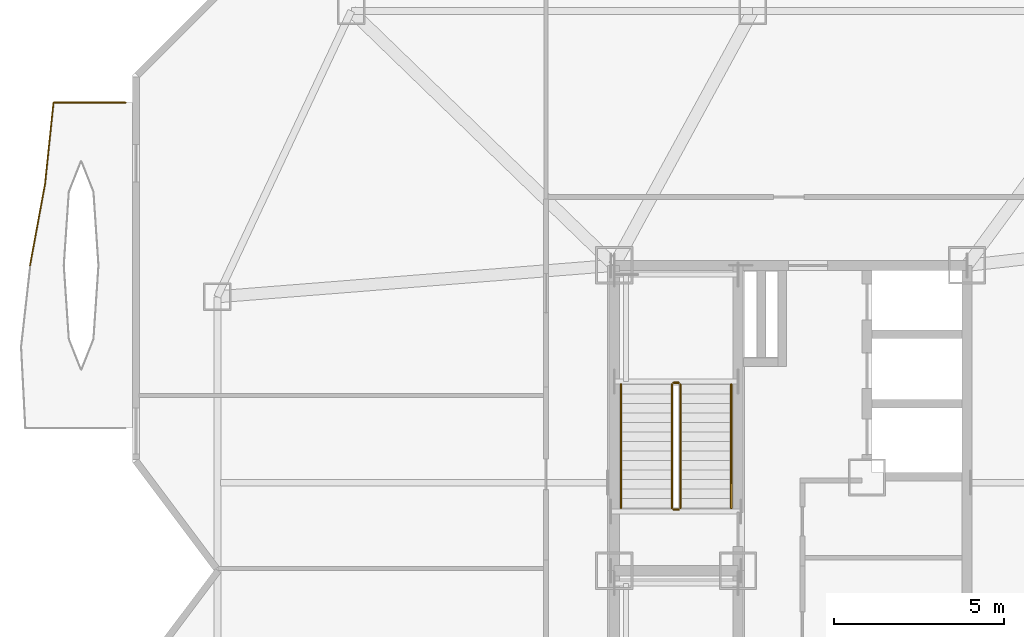
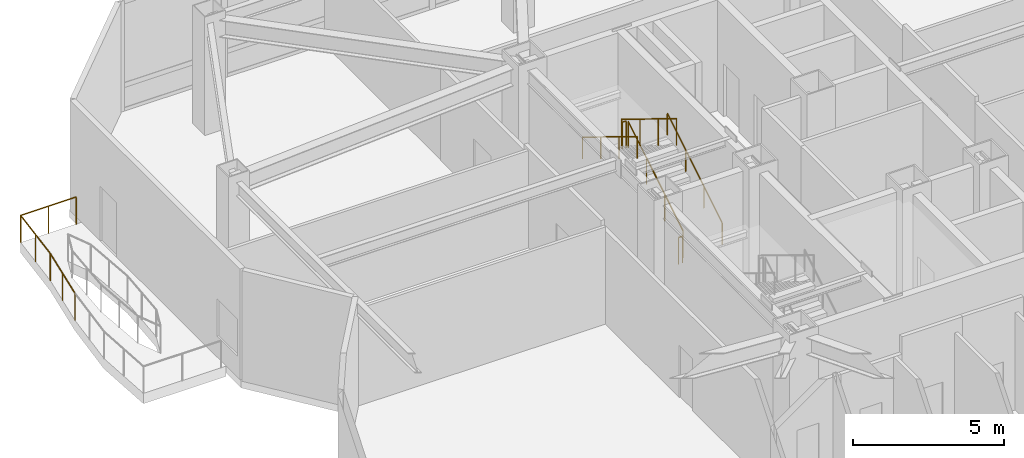
# One storey, part 14 of 16: 7 railings.
"""IFC4 building model written with IfcOpenShell, lengths in metres."""

from ifc_helpers import new_model, si_unit, direction, frame, origin, origin_2d, place, context, subcontext, project, spatial, circle, extrude, material, type_object, element, save


model = new_model("IFC4")

# Units and contexts
model_context = context("Model", 3, precision=1e-05, world=origin(), true_north=direction((0.0, 1.0)))
body_context = subcontext(model_context, "Body", "Model", "MODEL_VIEW")
ifc_project = project(units=[si_unit("LENGTHUNIT", "METRE"), si_unit("AREAUNIT", "SQUARE_METRE"), si_unit("VOLUMEUNIT", "CUBIC_METRE"), si_unit("PLANEANGLEUNIT", "RADIAN"), si_unit("MASSUNIT", "GRAM", prefix="KILO")], contexts=[model_context])

# Site, building, storey
site_placement = place(None, origin())
site = spatial("IfcSite", under=ifc_project, at=site_placement, CompositionType="ELEMENT")
building_placement = place(site_placement, origin())
building = spatial("IfcBuilding", under=site, at=building_placement, Name="Khamvora Tower", CompositionType="ELEMENT")
storey_placement = place(building_placement, frame((0.0, 0.0, 207.0)))
storey = spatial("IfcBuildingStorey", under=building, at=storey_placement, Name="L53", CompositionType="ELEMENT", Elevation=207.0)

# Railings
ifc_material_1 = material(Name="Stainless Steel 316 and Laminated Glass", Category="steel")
railing_type_1 = type_object("IfcRailingType", Name="RAL-GAL-1120", PredefinedType="GUARDRAIL", material=ifc_material_1)
railing_1_placement = place(storey_placement, frame((11.779052734375, 37.0, 0.0)))
element("IfcRailing", 1, at=railing_1_placement, inside=storey, type_object=railing_type_1, Name="L53 lens gallery north perimeter guardrail WL2", PredefinedType="GUARDRAIL", context=body_context, shape_type="SweptSolid", body=[
    extrude(circle(Radius=0.02392578125, at=origin_2d()), frame((0.0, 0.0, 1.09619140625), z_axis=(0.181086036306, 0.983467257948, 0.0), x_axis=(-0.983467257948, 0.181086036306, 0.0)), (0.0, 0.0, 1.0), 2.440185546875),
    extrude(circle(Radius=0.02392578125, at=origin_2d()), frame((0.44189453125, 2.39990234375, 1.09619140625), z_axis=(0.103599828901, 0.994619060471, 0.0), x_axis=(-0.994619060471, 0.103599828901, 0.0)), (0.0, 0.0, 1.0), 2.4130859375),
    extrude(circle(Radius=0.02392578125, at=origin_2d()), frame((0.69189453125, 4.800048828125, 1.09619140625), z_axis=(1.0, 0.0, 0.0), x_axis=(0.0, 1.0, 0.0)), (0.0, 0.0, 1.0), 2.129150390625),
    extrude(circle(Radius=0.02099609375, at=origin_2d()), origin(), (0.0, 0.0, 1.0), 1.072021484375),
    extrude(circle(Radius=0.02099609375, at=origin_2d()), frame((0.220947265625, 1.199951171875, 0.0)), (0.0, 0.0, 1.0), 1.072021484375),
    extrude(circle(Radius=0.02099609375, at=origin_2d()), frame((0.44189453125, 2.39990234375, 0.0)), (0.0, 0.0, 1.0), 1.072021484375),
    extrude(circle(Radius=0.02099609375, at=origin_2d()), frame((0.56689453125, 3.60009765625, 0.0)), (0.0, 0.0, 1.0), 1.072021484375),
    extrude(circle(Radius=0.02099609375, at=origin_2d()), frame((0.69189453125, 4.800048828125, 0.0)), (0.0, 0.0, 1.0), 1.072021484375),
    extrude(circle(Radius=0.02099609375, at=origin_2d()), frame((1.75634765625, 4.800048828125, 0.0)), (0.0, 0.0, 1.0), 1.072021484375),
    extrude(circle(Radius=0.02099609375, at=origin_2d()), frame((2.821044921875, 4.800048828125, 0.0)), (0.0, 0.0, 1.0), 1.072021484375),
])
ifc_material_2 = material(Name="Brushed Stainless Steel 316", Category="steel")
railing_type_2 = type_object("IfcRailingType", Name="RAL-HDR-920", PredefinedType="HANDRAIL", material=ifc_material_2)
railing_2_placement = place(storey_placement, frame((32.449951171875, 29.85009765625, 0.17138671875)))
element("IfcRailing", 2, at=railing_2_placement, inside=storey, type_object=railing_type_2, Name="L53 ST-02 stair handrail 1", PredefinedType="HANDRAIL", context=body_context, shape_type="SweptSolid", body=[
    extrude(circle(Radius=0.02392578125, at=origin_2d()), frame((0.0, 0.0, 0.8759765625), z_axis=(0.0, 0.852850264322, 0.5221555579), x_axis=(-1.0, 0.0, 0.0)), (0.0, 0.0, 1.0), 4.267822265625),
    extrude(circle(Radius=0.02099609375, at=origin_2d()), origin(), (0.0, 0.0, 1.0), 0.851806640625),
    extrude(circle(Radius=0.02099609375, at=origin_2d()), frame((0.0, 1.21337890625, 0.742919921875)), (0.0, 0.0, 1.0), 0.851806640625),
    extrude(circle(Radius=0.02099609375, at=origin_2d()), frame((0.0, 2.426513671875, 1.485595703125)), (0.0, 0.0, 1.0), 0.851806640625),
    extrude(circle(Radius=0.02099609375, at=origin_2d()), frame((0.0, 3.639892578125, 2.228515625)), (0.0, 0.0, 1.0), 0.851806640625),
])
railing_3_placement = place(storey_placement, frame((29.199951171875, 33.489990234375, 2.571533203125)))
element("IfcRailing", 3, at=railing_3_placement, inside=storey, type_object=railing_type_2, Name="L53 ST-02 stair handrail 2", PredefinedType="HANDRAIL", context=body_context, shape_type="SweptSolid", body=[
    extrude(circle(Radius=0.02392578125, at=origin_2d()), frame((0.0, 0.0, 0.8759765625), z_axis=(0.0, -0.852850264322, 0.5221555579), x_axis=(1.0, 0.0, 0.0)), (0.0, 0.0, 1.0), 4.267822265625),
    extrude(circle(Radius=0.02099609375, at=origin_2d()), origin(), (0.0, 0.0, 1.0), 0.851806640625),
    extrude(circle(Radius=0.02099609375, at=origin_2d()), frame((0.0, -1.21337890625, 0.742919921875)), (0.0, 0.0, 1.0), 0.851806640625),
    extrude(circle(Radius=0.02099609375, at=origin_2d()), frame((0.0, -2.426513671875, 1.485595703125)), (0.0, 0.0, 1.0), 0.851806640625),
    extrude(circle(Radius=0.02099609375, at=origin_2d()), frame((0.0, -3.639892578125, 2.228515625)), (0.0, 0.0, 1.0), 0.851806640625),
])
ifc_material_3 = material(Name="Stainless Steel 316", Category="steel")
railing_type_3 = type_object("IfcRailingType", Name="RAL-STG-1100", PredefinedType="GUARDRAIL", material=ifc_material_3)
railing_4_placement = place(storey_placement, frame((30.949951171875, 29.85009765625, 0.17138671875)))
element("IfcRailing", 4, at=railing_4_placement, inside=storey, type_object=railing_type_3, Name="L53 ST-02 stair guard 1", PredefinedType="GUARDRAIL", context=body_context, shape_type="SweptSolid", body=[
    extrude(circle(Radius=0.02392578125, at=origin_2d()), frame((0.0, 0.0, 1.076171875), z_axis=(0.0, 0.852850264322, 0.5221555579), x_axis=(-1.0, 0.0, 0.0)), (0.0, 0.0, 1.0), 4.267822265625),
    extrude(circle(Radius=0.02099609375, at=origin_2d()), origin(), (0.0, 0.0, 1.0), 1.052001953125),
    extrude(circle(Radius=0.02099609375, at=origin_2d()), frame((0.0, 1.21337890625, 0.742919921875)), (0.0, 0.0, 1.0), 1.052001953125),
    extrude(circle(Radius=0.02099609375, at=origin_2d()), frame((0.0, 2.426513671875, 1.485595703125)), (0.0, 0.0, 1.0), 1.052001953125),
    extrude(circle(Radius=0.02099609375, at=origin_2d()), frame((0.0, 3.639892578125, 2.228515625)), (0.0, 0.0, 1.0), 1.052001953125),
])
railing_5_placement = place(storey_placement, frame((30.89990234375, 33.5400390625, 2.39990234375)))
element("IfcRailing", 5, at=railing_5_placement, inside=storey, type_object=railing_type_3, Name="L53 ST-02 stair guard 2", PredefinedType="GUARDRAIL", context=body_context, shape_type="SweptSolid", body=[
    extrude(circle(Radius=0.02392578125, at=origin_2d()), frame((0.0, 0.0, 1.076171875), z_axis=(-1.0, 0.0, 0.0), x_axis=(0.0, -1.0, 0.0)), (0.0, 0.0, 1.0), 0.14990234375),
    extrude(circle(Radius=0.02099609375, at=origin_2d()), origin(), (0.0, 0.0, 1.0), 1.052001953125),
    extrude(circle(Radius=0.02099609375, at=origin_2d()), frame((-0.14990234375, 0.0, 0.0)), (0.0, 0.0, 1.0), 1.052001953125),
])
railing_6_placement = place(storey_placement, frame((30.699951171875, 33.489990234375, 2.571533203125)))
element("IfcRailing", 6, at=railing_6_placement, inside=storey, type_object=railing_type_3, Name="L53 ST-02 stair guard 3", PredefinedType="GUARDRAIL", context=body_context, shape_type="SweptSolid", body=[
    extrude(circle(Radius=0.02392578125, at=origin_2d()), frame((0.0, 0.0, 1.076171875), z_axis=(0.0, -0.852850264322, 0.5221555579), x_axis=(1.0, 0.0, 0.0)), (0.0, 0.0, 1.0), 4.267822265625),
    extrude(circle(Radius=0.02099609375, at=origin_2d()), origin(), (0.0, 0.0, 1.0), 1.052001953125),
    extrude(circle(Radius=0.02099609375, at=origin_2d()), frame((0.0, -1.21337890625, 0.742919921875)), (0.0, 0.0, 1.0), 1.052001953125),
    extrude(circle(Radius=0.02099609375, at=origin_2d()), frame((0.0, -2.426513671875, 1.485595703125)), (0.0, 0.0, 1.0), 1.052001953125),
    extrude(circle(Radius=0.02099609375, at=origin_2d()), frame((0.0, -3.639892578125, 2.228515625)), (0.0, 0.0, 1.0), 1.052001953125),
])
railing_7_placement = place(storey_placement, frame((30.89990234375, 29.800048828125, 0.0)))
element("IfcRailing", 7, at=railing_7_placement, inside=storey, type_object=railing_type_3, Name="L53 ST-02 stair guard 4", PredefinedType="GUARDRAIL", context=body_context, shape_type="SweptSolid", body=[
    extrude(circle(Radius=0.02392578125, at=origin_2d()), frame((0.0, 0.0, 1.076171875), z_axis=(-1.0, 0.0, 0.0), x_axis=(0.0, -1.0, 0.0)), (0.0, 0.0, 1.0), 0.14990234375),
    extrude(circle(Radius=0.02099609375, at=origin_2d()), origin(), (0.0, 0.0, 1.0), 1.052001953125),
    extrude(circle(Radius=0.02099609375, at=origin_2d()), frame((-0.14990234375, 0.0, 0.0)), (0.0, 0.0, 1.0), 1.052001953125),
])

save(model, "model.ifc")
